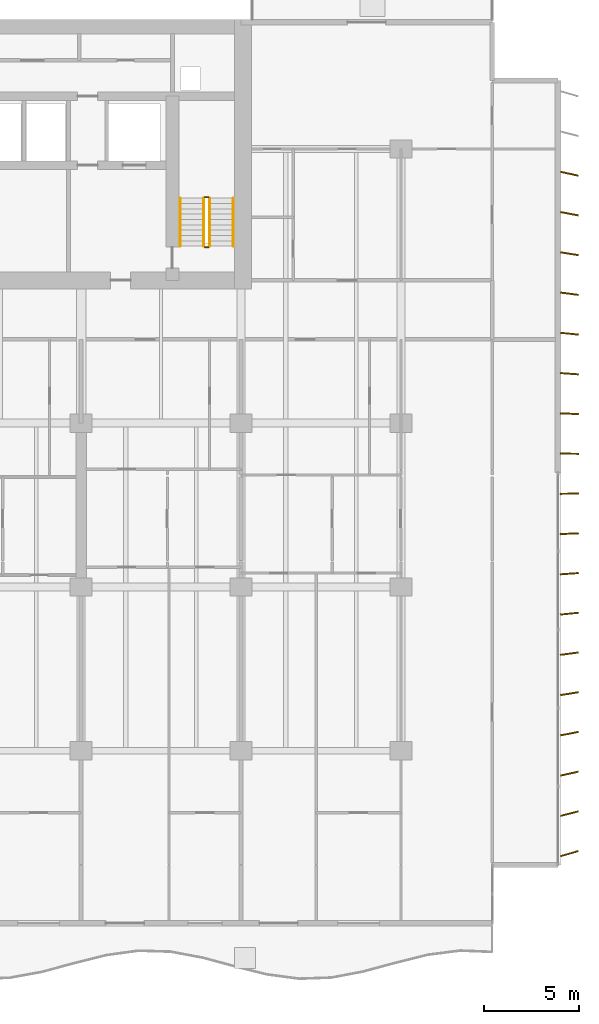
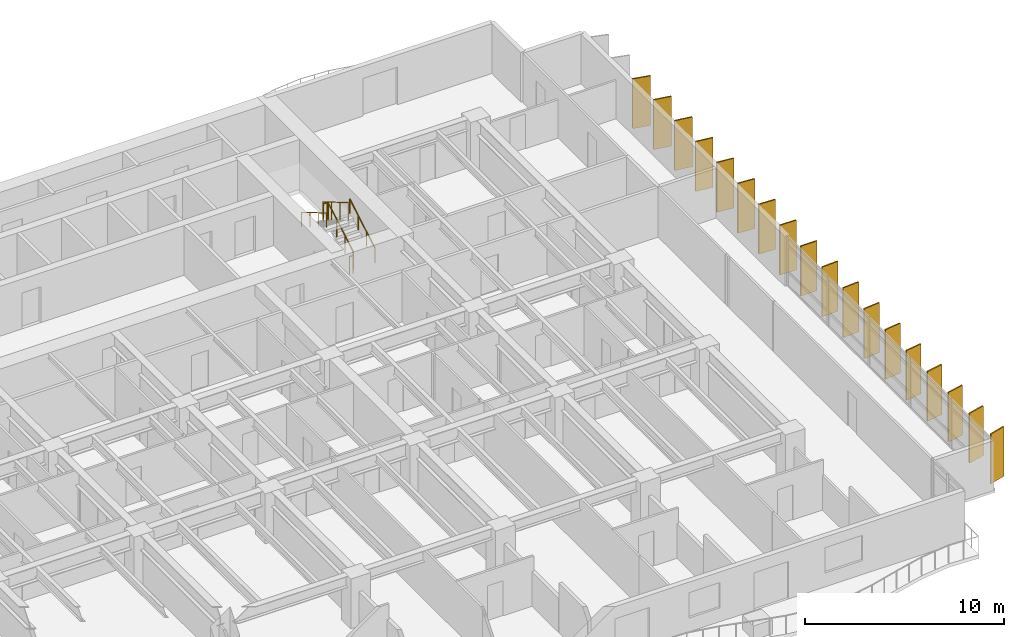
# One storey, part 17 of 18: 18 shading devices, 6 railings.
"""IFC4 building model written with IfcOpenShell, lengths in metres."""

from ifc_helpers import new_model, si_unit, direction, frame, origin, origin_2d, place, context, subcontext, project, spatial, rectangle, circle, extrude, material, material_profile, profile_set, type_object, element, save


model = new_model("IFC4")

# Units and contexts
model_context = context("Model", 3, precision=1e-05, world=origin(), true_north=direction((0.0, 1.0)))
body_context = subcontext(model_context, "Body", "Model", "MODEL_VIEW")
ifc_project = project(units=[si_unit("LENGTHUNIT", "METRE"), si_unit("AREAUNIT", "SQUARE_METRE"), si_unit("VOLUMEUNIT", "CUBIC_METRE"), si_unit("PLANEANGLEUNIT", "RADIAN"), si_unit("MASSUNIT", "GRAM", prefix="KILO")], contexts=[model_context])

# Site, building, storey
site_placement = place(None, origin())
site = spatial("IfcSite", under=ifc_project, at=site_placement, CompositionType="ELEMENT")
building_placement = place(site_placement, origin())
building = spatial("IfcBuilding", under=site, at=building_placement, Name="Caelmar Bay Residences", CompositionType="ELEMENT")
storey_placement = place(building_placement, frame((0.0, 0.0, 56.39990234375)))
storey = spatial("IfcBuildingStorey", under=building, at=storey_placement, Name="L14", CompositionType="ELEMENT", Elevation=56.39990234375)

# Railings
ifc_material_1 = material(Name="Painted galvanized steel stair guard 1100 mm", Category="steel")
railing_type_1 = type_object("IfcRailingType", Name="RL-GRD-1100", PredefinedType="GUARDRAIL", material=ifc_material_1)
railing_1_placement = place(storey_placement, frame((57.85009765625, 38.699951171875, 0.1650390625)))
element("IfcRailing", 1, at=railing_1_placement, inside=storey, type_object=railing_type_1, Name="L14 ST2 stair guard 1", PredefinedType="GUARDRAIL", context=body_context, shape_type="SweptSolid", body=[
    extrude(circle(Radius=0.02392578125, at=origin_2d()), frame((0.0, 0.0, 1.076171875), z_axis=(0.0, 0.86152411907, 0.507716645641), x_axis=(-1.0, 0.0, 0.0)), (0.0, 0.0, 1.0), 2.925048828125),
    extrude(circle(Radius=0.02099609375, at=origin_2d()), origin(), (0.0, 0.0, 1.0), 1.052001953125),
    extrude(circle(Radius=0.02099609375, at=origin_2d()), frame((0.0, 0.840087890625, 0.4951171875)), (0.0, 0.0, 1.0), 1.052001953125),
    extrude(circle(Radius=0.02099609375, at=origin_2d()), frame((0.0, 1.679931640625, 0.989990234375)), (0.0, 0.0, 1.0), 1.052001953125),
    extrude(circle(Radius=0.02099609375, at=origin_2d()), frame((0.0, 2.52001953125, 1.485107421875)), (0.0, 0.0, 1.0), 1.052001953125),
])
railing_2_placement = place(storey_placement, frame((57.800048828125, 41.27001953125, 1.650146484375)))
element("IfcRailing", 2, at=railing_2_placement, inside=storey, type_object=railing_type_1, Name="L14 ST2 stair guard 2", PredefinedType="GUARDRAIL", context=body_context, shape_type="SweptSolid", body=[
    extrude(circle(Radius=0.02392578125, at=origin_2d()), frame((0.0, 0.0, 1.076171875), z_axis=(-1.0, 0.0, 0.0), x_axis=(0.0, -1.0, 0.0)), (0.0, 0.0, 1.0), 0.199951171875),
    extrude(circle(Radius=0.02099609375, at=origin_2d()), origin(), (0.0, 0.0, 1.0), 1.052001953125),
    extrude(circle(Radius=0.02099609375, at=origin_2d()), frame((-0.199951171875, 0.0, 0.0)), (0.0, 0.0, 1.0), 1.052001953125),
])
railing_3_placement = place(storey_placement, frame((57.550048828125, 41.219970703125, 1.815185546875)))
element("IfcRailing", 3, at=railing_3_placement, inside=storey, type_object=railing_type_1, Name="L14 ST2 stair guard 3", PredefinedType="GUARDRAIL", context=body_context, shape_type="SweptSolid", body=[
    extrude(circle(Radius=0.02392578125, at=origin_2d()), frame((0.0, 0.0, 1.076171875), z_axis=(0.0, -0.861560626758, 0.507654692109), x_axis=(1.0, 0.0, 0.0)), (0.0, 0.0, 1.0), 2.925048828125),
    extrude(circle(Radius=0.02099609375, at=origin_2d()), origin(), (0.0, 0.0, 1.0), 1.052001953125),
    extrude(circle(Radius=0.02099609375, at=origin_2d()), frame((0.0, -0.840087890625, 0.494873046875)), (0.0, 0.0, 1.0), 1.052001953125),
    extrude(circle(Radius=0.02099609375, at=origin_2d()), frame((0.0, -1.679931640625, 0.989990234375)), (0.0, 0.0, 1.0), 1.052001953125),
    extrude(circle(Radius=0.02099609375, at=origin_2d()), frame((0.0, -2.52001953125, 1.48486328125)), (0.0, 0.0, 1.0), 1.052001953125),
])
railing_4_placement = place(storey_placement, frame((57.800048828125, 38.64990234375, 0.0)))
element("IfcRailing", 4, at=railing_4_placement, inside=storey, type_object=railing_type_1, Name="L14 ST2 stair guard 4", PredefinedType="GUARDRAIL", context=body_context, shape_type="SweptSolid", body=[
    extrude(circle(Radius=0.02392578125, at=origin_2d()), frame((0.0, 0.0, 1.076171875), z_axis=(-1.0, 0.0, 0.0), x_axis=(0.0, -1.0, 0.0)), (0.0, 0.0, 1.0), 0.199951171875),
    extrude(circle(Radius=0.02099609375, at=origin_2d()), origin(), (0.0, 0.0, 1.0), 1.052001953125),
    extrude(circle(Radius=0.02099609375, at=origin_2d()), frame((-0.199951171875, 0.0, 0.0)), (0.0, 0.0, 1.0), 1.052001953125),
])
ifc_material_2 = material(Name="Brushed bronze stainless-steel tubular handrail 900 mm", Category="steel")
railing_type_2 = type_object("IfcRailingType", Name="RL-HND-900", PredefinedType="HANDRAIL", material=ifc_material_2)
railing_5_placement = place(storey_placement, frame((59.10009765625, 38.699951171875, 0.1650390625)))
element("IfcRailing", 5, at=railing_5_placement, inside=storey, type_object=railing_type_2, Name="L14 ST2 stair handrail 1", PredefinedType="HANDRAIL", context=body_context, shape_type="SweptSolid", body=[
    extrude(circle(Radius=0.02392578125, at=origin_2d()), frame((0.0, 0.0, 0.8759765625), z_axis=(0.0, 0.86152411907, 0.507716645641), x_axis=(-1.0, 0.0, 0.0)), (0.0, 0.0, 1.0), 2.925048828125),
    extrude(circle(Radius=0.02099609375, at=origin_2d()), origin(), (0.0, 0.0, 1.0), 0.851806640625),
    extrude(circle(Radius=0.02099609375, at=origin_2d()), frame((0.0, 0.840087890625, 0.4951171875)), (0.0, 0.0, 1.0), 0.851806640625),
    extrude(circle(Radius=0.02099609375, at=origin_2d()), frame((0.0, 1.679931640625, 0.989990234375)), (0.0, 0.0, 1.0), 0.851806640625),
    extrude(circle(Radius=0.02099609375, at=origin_2d()), frame((0.0, 2.52001953125, 1.485107421875)), (0.0, 0.0, 1.0), 0.851806640625),
])
railing_6_placement = place(storey_placement, frame((56.300048828125, 41.219970703125, 1.815185546875)))
element("IfcRailing", 6, at=railing_6_placement, inside=storey, type_object=railing_type_2, Name="L14 ST2 stair handrail 2", PredefinedType="HANDRAIL", context=body_context, shape_type="SweptSolid", body=[
    extrude(circle(Radius=0.02392578125, at=origin_2d()), frame((0.0, 0.0, 0.8759765625), z_axis=(0.0, -0.861560626758, 0.507654692109), x_axis=(1.0, 0.0, 0.0)), (0.0, 0.0, 1.0), 2.925048828125),
    extrude(circle(Radius=0.02099609375, at=origin_2d()), origin(), (0.0, 0.0, 1.0), 0.851806640625),
    extrude(circle(Radius=0.02099609375, at=origin_2d()), frame((0.0, -0.840087890625, 0.494873046875)), (0.0, 0.0, 1.0), 0.851806640625),
    extrude(circle(Radius=0.02099609375, at=origin_2d()), frame((0.0, -1.679931640625, 0.989990234375)), (0.0, 0.0, 1.0), 0.851806640625),
    extrude(circle(Radius=0.02099609375, at=origin_2d()), frame((0.0, -2.52001953125, 1.48486328125)), (0.0, 0.0, 1.0), 0.851806640625),
])

# Shading devices
ifc_material_3 = material(Name="Anodised architectural bronze aluminium 6063-T6", Category="aluminium")
ifc_material_profile = material_profile(ifc_material_3, rectangle(XDim=0.074951171875, YDim=0.949951171875, at=origin_2d()), Name="BRONZE-FIN-75X950")
ifc_profile_set = profile_set([ifc_material_profile], Name="Anodised architectural bronze aluminium 6063-T6")
shading_device_type = type_object("IfcShadingDeviceType", Name="SHD-FIN-950", PredefinedType="USERDEFINED", material=ifc_profile_set)
for number, where, z_axis, x_axis, name in (
    (7, (76.75, 6.800048828125, 0.0), (0.0, 0.0, 1.0), (-0.275637355817, 0.961261695938, 0.0), "L14 East Bronze Solar Fin 1"),
    (8, (76.75, 8.89990234375, 0.0), (0.0, 0.0, 1.0), (-0.247337247968, 0.968929453452, 0.0), "L14 East Bronze Solar Fin 2"),
    (9, (76.75, 11.0, 0.0), (0.0, 0.0, 1.0), (-0.218654200292, 0.975802408633, 0.0), "L14 East Bronze Solar Fin 3"),
    (10, (76.75, 13.10009765625, 0.0), (0.0, 0.0, 1.0), (-0.189952291512, 0.981793321911, 0.0), "L14 East Bronze Solar Fin 4"),
    (11, (76.75, 15.199951171875, 0.0), (0.0, 0.0, 1.0), (-0.160914826518, 0.986968296657, 0.0), "L14 East Bronze Solar Fin 5"),
    (12, (76.75, 17.300048828125, 0.0), (0.0, 0.0, 1.0), (-0.131910382711, 0.991261646052, 0.0), "L14 East Bronze Solar Fin 6"),
    (13, (76.75, 19.39990234375, 0.0), (0.0, 0.0, 1.0), (-0.10261892683, 0.994720742649, 0.0), "L14 East Bronze Solar Fin 7"),
    (14, (76.75, 21.5, 0.0), (0.0, 0.0, 1.0), (-0.073412260224, 0.997301679558, 0.0), "L14 East Bronze Solar Fin 8"),
    (15, (76.75, 23.60009765625, 0.0), (0.0, 0.0, 1.0), (-0.044142481788, 0.999025245578, 0.0), "L14 East Bronze Solar Fin 9"),
    (16, (76.75, 25.699951171875, 0.0), (0.0, 0.0, 1.0), (-0.01466024053, 0.999892532899, 0.0), "L14 East Bronze Solar Fin 10"),
    (17, (76.75, 27.800048828125, 0.0), (0.0, 0.0, 1.0), (0.01466024053, 0.999892532899, 0.0), "L14 East Bronze Solar Fin 11"),
    (18, (76.75, 29.89990234375, 0.0), (0.0, 0.0, 1.0), (0.044142481788, 0.999025245578, 0.0), "L14 East Bronze Solar Fin 12"),
    (19, (76.75, 32.0, 0.0), (0.0, 0.0, 1.0), (0.073412260224, 0.997301679558, 0.0), "L14 East Bronze Solar Fin 13"),
    (20, (76.75, 34.10009765625, 0.0), (0.0, 0.0, 1.0), (0.10261892683, 0.994720742649, 0.0), "L14 East Bronze Solar Fin 14"),
    (21, (76.75, 36.199951171875, 0.0), (0.0, 0.0, 1.0), (0.131910382711, 0.991261646052, 0.0), "L14 East Bronze Solar Fin 15"),
    (22, (76.75, 38.300048828125, 0.0), (0.0, 0.0, 1.0), (0.160914826518, 0.986968296657, 0.0), "L14 East Bronze Solar Fin 16"),
    (23, (76.75, 40.39990234375, 0.0), (0.0, 0.0, 1.0), (0.189952291512, 0.981793321911, 0.0), "L14 East Bronze Solar Fin 17"),
    (24, (76.75, 42.5, 0.0), (0.0, 0.0, 1.0), (0.218654200292, 0.975802408633, 0.0), "L14 East Bronze Solar Fin 18"),
):
    element("IfcShadingDevice", number, at=place(storey_placement, frame(where, z_axis=z_axis, x_axis=x_axis)), inside=storey, type_object=shading_device_type, Name=name, ObjectType="FIN", PredefinedType="USERDEFINED", context=body_context, shape_type="SweptSolid", body=[
        extrude(rectangle(XDim=0.074951171875, YDim=0.949951171875, at=origin_2d()), origin(), (0.0, 0.0, 1.0), 3.050048828125),
    ])

save(model, "model.ifc")
